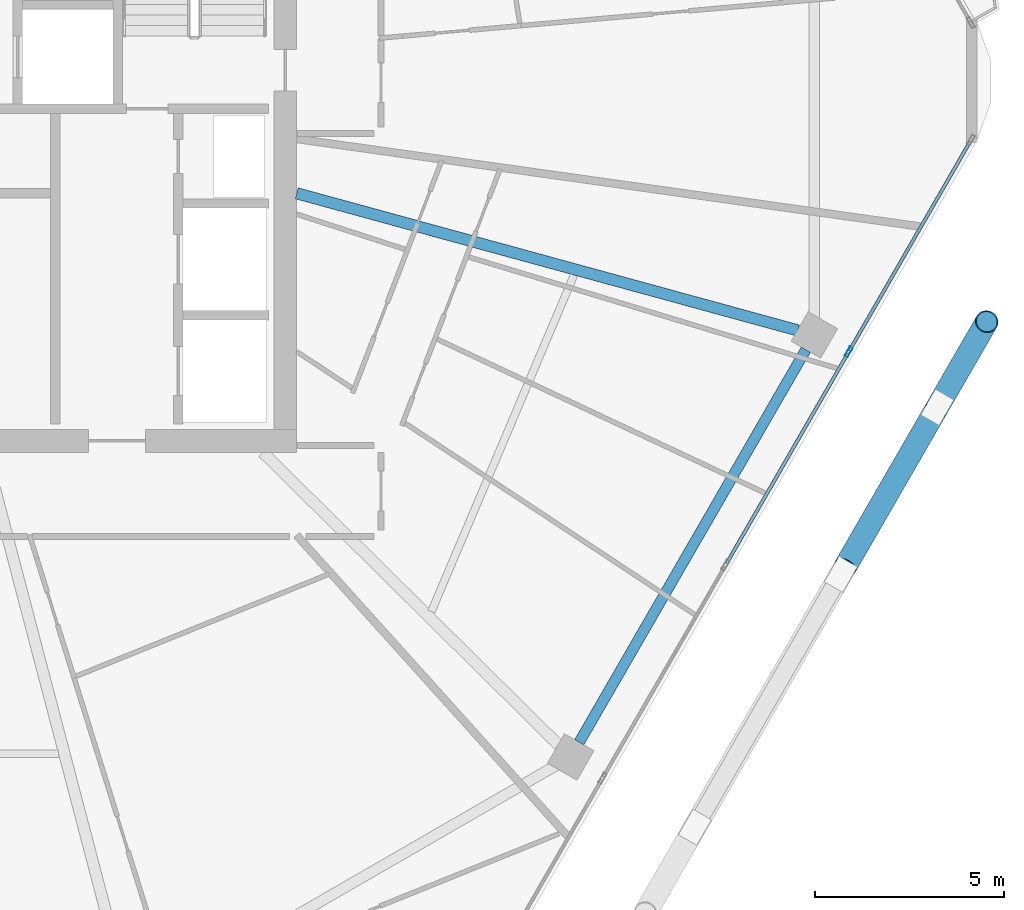
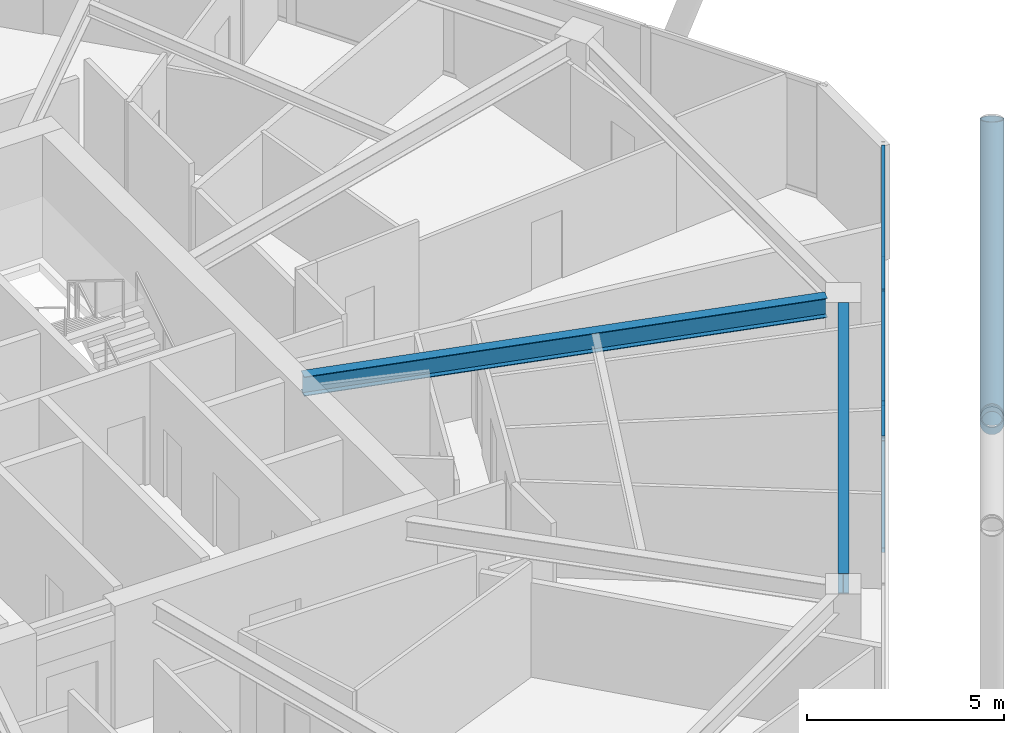
# One storey, part 10 of 27: 7 members, 2 beams, 1 element without a shape of its own.
"""IFC4 building model written with IfcOpenShell, lengths in metres."""

from ifc_helpers import new_model, si_unit, direction, frame, origin, origin_2d, place, context, subcontext, project, spatial, hollow_rectangle, hollow_circle, i_section, extrude, material, material_profile, profile_set, type_object, element, aggregate, save


model = new_model("IFC4")

# Units and contexts
model_context = context("Model", 3, precision=1e-05, world=origin(), true_north=direction((0.0, 1.0)))
body_context = subcontext(model_context, "Body", "Model", "MODEL_VIEW")
ifc_project = project(units=[si_unit("LENGTHUNIT", "METRE"), si_unit("AREAUNIT", "SQUARE_METRE"), si_unit("VOLUMEUNIT", "CUBIC_METRE"), si_unit("PLANEANGLEUNIT", "RADIAN"), si_unit("MASSUNIT", "GRAM", prefix="KILO")], contexts=[model_context])

# Site, building, storey
site_placement = place(None, origin())
site = spatial("IfcSite", under=ifc_project, at=site_placement, CompositionType="ELEMENT")
building_placement = place(site_placement, origin())
building = spatial("IfcBuilding", under=site, at=building_placement, Name="Zuhravey Tower", CompositionType="ELEMENT")
storey_placement = place(building_placement, frame((0.0, 0.0, 238.800048828125)))
storey = spatial("IfcBuildingStorey", under=building, at=storey_placement, Name="L60", CompositionType="ELEMENT", Elevation=238.800048828125)

# Curtain wall, members
ifc_material_1 = material(Name="Thermally broken anodised aluminium", Category="aluminium")
curtain_wall_type = type_object("IfcCurtainWallType", Name="Zone 3-4 High-Rise Curtain Wall CW4", PredefinedType="NOTDEFINED", material=ifc_material_1)
curtain_wall_placement = place(storey_placement, origin())
curtain_wall = element("IfcCurtainWall", 1, at=curtain_wall_placement, inside=storey, type_object=curtain_wall_type, Name="L60 CW4 CW-L60-F6-1", PredefinedType="NOTDEFINED")
ifc_material_2 = material(Name="Anodised aluminium", Category="aluminium")
ifc_material_profile_1 = material_profile(ifc_material_2, hollow_rectangle(XDim=0.090087890625, YDim=0.284912109375, WallThickness=0.0048828125, at=origin_2d()), Name="ALU-RHS-90x285x5")
ifc_profile_set_1 = profile_set([ifc_material_profile_1], Name="Anodised aluminium")
member_type_1 = type_object("IfcMemberType", Name="Curtain-Wall Mullion 90x180", PredefinedType="MULLION", material=ifc_profile_set_1)
member_1_placement = place(storey_placement, frame((61.391845703125, 24.852783203125, 0.0), z_axis=(0.0, 0.0, 1.0), x_axis=(0.866024851021, -0.500000957414, 0.0)))
member_1 = element("IfcMember", 2, at=member_1_placement, type_object=member_type_1, Name="CW4 mullion 2", PredefinedType="MULLION", context=body_context, shape_type="SweptSolid", body=[
    extrude(hollow_rectangle(XDim=0.090087890625, YDim=0.284912109375, WallThickness=0.0048828125, at=origin_2d()), origin(), (0.0, 0.0, 1.0), 3.550048828125),
])
ifc_material_profile_2 = material_profile(ifc_material_2, hollow_rectangle(XDim=0.090087890625, YDim=0.14990234375, WallThickness=0.0048828125, at=origin_2d()), Name="ALU-RHS-90x150x5")
ifc_profile_set_2 = profile_set([ifc_material_profile_2], Name="Anodised aluminium")
member_type_2 = type_object("IfcMemberType", Name="Curtain-Wall Transom 90x150", PredefinedType="USERDEFINED", material=ifc_profile_set_2)
member_2_placement = place(storey_placement, frame((64.60009765625, 30.40966796875, 0.044921875), z_axis=(-0.500008810174, -0.866020317169, 0.0), x_axis=(0.866020317169, -0.500008810174, 0.0)))
member_2 = element("IfcMember", 3, at=member_2_placement, type_object=member_type_2, Name="CW4 transom 1.1", ObjectType="TRANSOM", PredefinedType="USERDEFINED", context=body_context, shape_type="SweptSolid", body=[
    extrude(hollow_rectangle(XDim=0.090087890625, YDim=0.14990234375, WallThickness=0.0048828125, at=origin_2d()), origin(), (0.0, 0.0, 1.0), 6.37158203125),
])
member_3_placement = place(storey_placement, frame((64.60009765625, 30.40966796875, 3.5048828125), z_axis=(-0.500008810174, -0.866020317169, 0.0), x_axis=(0.866020317169, -0.500008810174, 0.0)))
member_3 = element("IfcMember", 4, at=member_3_placement, type_object=member_type_2, Name="CW4 transom 1.2", ObjectType="TRANSOM", PredefinedType="USERDEFINED", context=body_context, shape_type="SweptSolid", body=[
    extrude(hollow_rectangle(XDim=0.090087890625, YDim=0.14990234375, WallThickness=0.0048828125, at=origin_2d()), origin(), (0.0, 0.0, 1.0), 6.37158203125),
])
member_4_placement = place(storey_placement, frame((61.369384765625, 24.81396484375, 0.044921875), z_axis=(-0.499998017366, -0.866026548456, 0.0), x_axis=(0.866026548456, -0.499998017366, 0.0)))
member_4 = element("IfcMember", 5, at=member_4_placement, type_object=member_type_2, Name="CW4 transom 2.1", ObjectType="TRANSOM", PredefinedType="USERDEFINED", context=body_context, shape_type="SweptSolid", body=[
    extrude(hollow_rectangle(XDim=0.090087890625, YDim=0.14990234375, WallThickness=0.0048828125, at=origin_2d()), origin(), (0.0, 0.0, 1.0), 6.41650390625),
])
member_5_placement = place(storey_placement, frame((61.369384765625, 24.81396484375, 3.5048828125), z_axis=(-0.499998017366, -0.866026548456, 0.0), x_axis=(0.866026548456, -0.499998017366, 0.0)))
member_5 = element("IfcMember", 6, at=member_5_placement, type_object=member_type_2, Name="CW4 transom 2.2", ObjectType="TRANSOM", PredefinedType="USERDEFINED", context=body_context, shape_type="SweptSolid", body=[
    extrude(hollow_rectangle(XDim=0.090087890625, YDim=0.14990234375, WallThickness=0.0048828125, at=origin_2d()), origin(), (0.0, 0.0, 1.0), 6.41650390625),
])
aggregate(curtain_wall, [member_1, member_2, member_3, member_4, member_5])

# Members
ifc_material_3 = material(Name="Steel SM355", Category="steel")
ifc_material_profile_3 = material_profile(ifc_material_3, hollow_circle(Radius=0.3046875, WallThickness=0.028076171875, at=origin_2d()), Name="CHS-609.6x28")
ifc_profile_set_3 = profile_set([ifc_material_profile_3], Name="Steel SM355")
member_type_3 = type_object("IfcMemberType", Name="Exoskeleton Zone 3 Diagrid CHS610x28", PredefinedType="BRACE", material=ifc_profile_set_3)
member_6_placement = place(storey_placement, frame((63.73583984375, 23.392822265625, -0.446044921875), z_axis=(0.163030622365, 0.282366718953, 0.945351813982), x_axis=(-0.866017274468, 0.500014080125, 0.0)))
element("IfcMember", 7, at=member_6_placement, inside=storey, type_object=member_type_3, Name="L60 Face 6 Diagrid Brace 4", PredefinedType="BRACE", context=body_context, shape_type="SweptSolid", body=[
    extrude(hollow_circle(Radius=0.3046875, WallThickness=0.028076171875, at=origin_2d()), origin(), (0.0, 0.0, 1.0), 8.001220703125),
])
member_7_placement = place(storey_placement, frame((63.716552734375, 23.359130859375, -0.439697265625), z_axis=(-0.400881411374, -0.694285413611, 0.597713860021), x_axis=(0.866006207073, -0.500033248206, 0.0)))
element("IfcMember", 8, at=member_7_placement, inside=storey, type_object=member_type_3, Name="L60 Face 6 Split Diagrid Brace 3A", PredefinedType="BRACE", context=body_context, shape_type="SweptSolid", body=[
    extrude(hollow_circle(Radius=0.3046875, WallThickness=0.028076171875, at=origin_2d()), origin(), (0.0, 0.0, 1.0), 6.02197265625),
])

# Beams
ifc_material_profile_4 = material_profile(ifc_material_3, i_section(OverallWidth=0.280029296875, OverallDepth=0.6201171875, WebThickness=0.011962890625, FlangeThickness=0.02001953125, at=origin_2d()), Name="H-620x280x12x20")
ifc_profile_set_4 = profile_set([ifc_material_profile_4], Name="Steel SM355")
beam_type_1 = type_object("IfcBeamType", Name="Perimeter Ring Beam H620x280", PredefinedType="BEAM", material=ifc_profile_set_4)
beam_1_placement = place(storey_placement, frame((54.27001953125, 14.53759765625, 3.239990234375), z_axis=(0.500017744717, 0.866015158625, 0.0), x_axis=(-0.866015158625, 0.500017744717, 0.0)))
element("IfcBeam", 9, at=beam_1_placement, inside=storey, type_object=beam_type_1, Name="L60 PB3 BM-L60-PB-11", PredefinedType="BEAM", context=body_context, shape_type="SweptSolid", body=[
    extrude(i_section(OverallWidth=0.280029296875, OverallDepth=0.6201171875, WebThickness=0.011962890625, FlangeThickness=0.02001953125, at=origin_2d()), origin(), (0.0, 0.0, 1.0), 11.9755859375),
])
ifc_material_profile_5 = material_profile(ifc_material_3, i_section(OverallWidth=0.300048828125, OverallDepth=0.60009765625, WebThickness=0.011962890625, FlangeThickness=0.02001953125, at=origin_2d()), Name="H-600x300x12x20")
ifc_profile_set_5 = profile_set([ifc_material_profile_5], Name="Steel SM355")
beam_type_2 = type_object("IfcBeamType", Name="Radial Primary Girder H600x300", PredefinedType="BEAM", material=ifc_profile_set_5)
beam_2_placement = place(storey_placement, frame((46.802978515625, 29.04443359375, 3.25), z_axis=(0.964548913045, -0.26390413855, 0.0), x_axis=(0.26390413855, 0.964548913045, 0.0)))
element("IfcBeam", 10, at=beam_2_placement, inside=storey, type_object=beam_type_2, Name="L60 RG3 BM-L60-RAD-12", PredefinedType="BEAM", context=body_context, shape_type="SweptSolid", body=[
    extrude(i_section(OverallWidth=0.300048828125, OverallDepth=0.60009765625, WebThickness=0.011962890625, FlangeThickness=0.02001953125, at=origin_2d()), origin(), (0.0, 0.0, 1.0), 13.7314453125),
])

save(model, "model.ifc")
